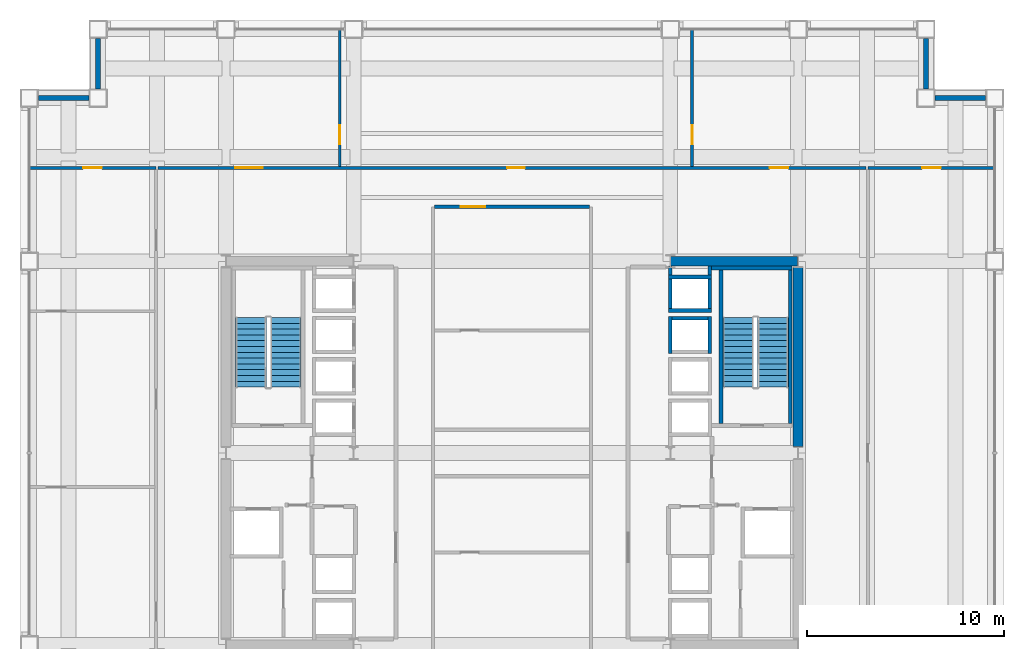
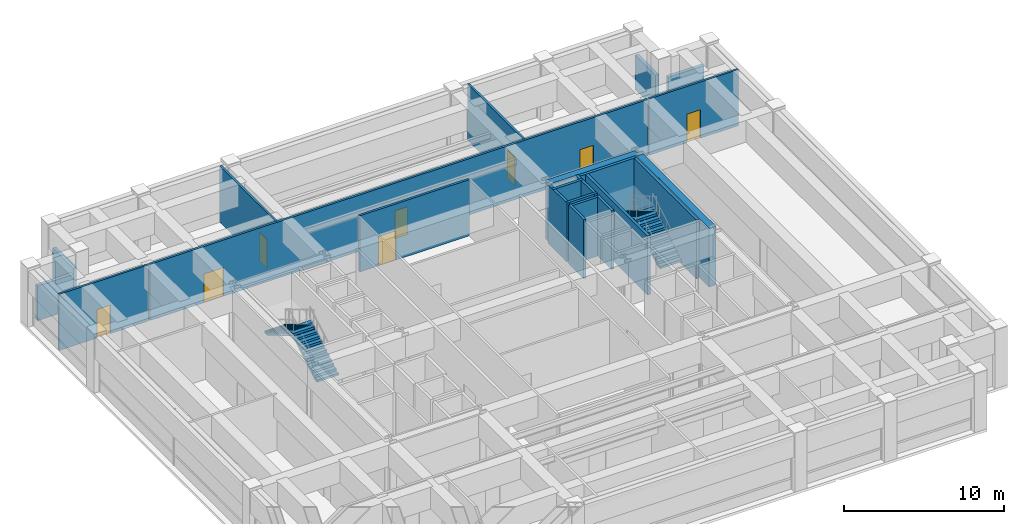
# One storey, part 28 of 29: 22 walls, 8 doors, 4 stair flights, 8 openings, 2 elements without a shape of their own.
"""IFC4 building model written with IfcOpenShell, lengths in metres."""

import ifcopenshell
import ifcopenshell.guid

model = None  # the IFC model being written
_history = None  # IfcOwnerHistory: only IFC2X3 demands one
_inside = {}  # id of a spatial element -> (the spatial element, [elements in it])
_under = {}  # id of a project, library or spatial element -> (it, [spatial elements below it])
_declared = {}  # id of a project -> (the project, [libraries it declares])
_typed = {}  # id of a type object -> (the type object, [elements of that type])
_made_of = {}  # id of a material, layer set ... -> (it, [elements and type objects made of it])


def new_model(schema):
    """Start an empty IFC model of exactly this schema.

    Asked for "IFC4X3", IfcOpenShell would pick the latest addendum, in which some entities
    have other attributes; the version numbers below select the first issue.
    IFC2X3 requires an IfcOwnerHistory on every rooted entity: one is made here for all.
    """
    global model, _history
    if schema == "IFC4X3":
        model = ifcopenshell.file(schema_version=(4, 3, 0, 0))
    else:
        model = ifcopenshell.file(schema=schema)
    _inside.clear()
    _under.clear()
    _declared.clear()
    _typed.clear()
    _made_of.clear()
    _history = None
    if model.schema == "IFC2X3":
        org = make("IfcOrganization", Name="unknown")
        user = make(
            "IfcPersonAndOrganization",
            ThePerson=make("IfcPerson", FamilyName="unknown"),
            TheOrganization=org,
        )
        app = make(
            "IfcApplication",
            ApplicationDeveloper=org,
            Version="unknown",
            ApplicationFullName="unknown",
            ApplicationIdentifier="unknown",
        )
        _history = make(
            "IfcOwnerHistory",
            OwningUser=user,
            OwningApplication=app,
            ChangeAction="ADDED",
            CreationDate=0,
        )
    return model


def make(cls, **values):
    """One entity of the class cls with the attributes given. An attribute that is None is left unset."""
    return model.create_entity(
        cls, **{name: value for name, value in values.items() if value is not None}
    )


def rooted(cls, **values):
    """An entity with a GlobalId (a new one), such as an element, a storey or a relation."""
    return make(cls, GlobalId=ifcopenshell.guid.new(), OwnerHistory=_history, **values)


def si_unit(unit_type, name, prefix=None):
    """IfcSIUnit, for example si_unit("LENGTHUNIT", "METRE", prefix="MILLI")."""
    return make("IfcSIUnit", UnitType=unit_type, Prefix=prefix, Name=name)


def assignment(units):
    """IfcUnitAssignment: the units of a project."""
    return None if units is None else make("IfcUnitAssignment", Units=units)


def point(xyz):
    """IfcCartesianPoint."""
    return None if xyz is None else make("IfcCartesianPoint", Coordinates=xyz)


def direction(xyz):
    """IfcDirection."""
    return None if xyz is None else make("IfcDirection", DirectionRatios=xyz)


def frame(location, z_axis=None, x_axis=None):
    """IfcAxis2Placement3D, a coordinate frame: its origin and axes. An axis left out is left unset."""
    return make(
        "IfcAxis2Placement3D",
        Location=point(location),
        Axis=direction(z_axis),
        RefDirection=direction(x_axis),
    )


def frame_2d(location, x_axis=None):
    """IfcAxis2Placement2D, a coordinate frame in the plane: its origin and x axis."""
    return make(
        "IfcAxis2Placement2D", Location=point(location), RefDirection=direction(x_axis)
    )


def origin():
    """The frame at (0, 0, 0) with its axes left unset."""
    return frame((0.0, 0.0, 0.0))


def place(relative_to, where):
    """IfcLocalPlacement: puts the frame where relative to a parent placement (None: the world)."""
    return make(
        "IfcLocalPlacement", PlacementRelTo=relative_to, RelativePlacement=where
    )


def context(
    kind, dimensions, precision=None, world=None, true_north=None, identifier=None
):
    """IfcGeometricRepresentationContext, for example the 3D "Model" context."""
    return make(
        "IfcGeometricRepresentationContext",
        ContextIdentifier=identifier,
        ContextType=kind,
        CoordinateSpaceDimension=dimensions,
        Precision=precision,
        WorldCoordinateSystem=world,
        TrueNorth=true_north,
    )


def subcontext(parent, identifier, kind, view, scale=None):
    """IfcGeometricRepresentationSubContext, for example "Body" below "Model"."""
    return make(
        "IfcGeometricRepresentationSubContext",
        ContextIdentifier=identifier,
        ContextType=kind,
        ParentContext=parent,
        TargetScale=scale,
        TargetView=view,
    )


def project(units=None, contexts=None):
    """IfcProject with its units and contexts."""
    return rooted(
        "IfcProject",
        Name="project",
        RepresentationContexts=contexts,
        UnitsInContext=assignment(units),
    )


def spatial(cls, under=None, at=None, **own):
    """A site, building, storey or space (cls), placed at a placement, below another one or the project."""
    s = rooted(cls, ObjectPlacement=at, **own)
    if under is not None:
        _under.setdefault(under.id(), (under, []))[1].append(s)
    return s


def polyline(points):
    """IfcPolyline through the points."""
    return make("IfcPolyline", Points=[point(p) for p in points])


def profile(cls, at=None, kind="AREA", **sizes):
    """A parametric profile (cls). Its sizes go by their IFC names, for example OverallWidth=200.0."""
    return make(cls, ProfileType=kind, Position=at, **sizes)


def rectangle(**sizes):
    """IfcRectangleProfileDef."""
    return profile("IfcRectangleProfileDef", **sizes)


def outline(outer, holes=None, kind="AREA"):
    """IfcArbitraryClosedProfileDef: a profile drawn as a closed curve; with holes, ...WithVoids."""
    if holes is None:
        return make("IfcArbitraryClosedProfileDef", ProfileType=kind, OuterCurve=outer)
    return make(
        "IfcArbitraryProfileDefWithVoids",
        ProfileType=kind,
        OuterCurve=outer,
        InnerCurves=holes,
    )


def extrude(swept, where, along, depth):
    """IfcExtrudedAreaSolid: the profile swept, set in the frame where, extruded along a direction by depth."""
    return make(
        "IfcExtrudedAreaSolid",
        SweptArea=swept,
        Position=where,
        ExtrudedDirection=direction(along),
        Depth=depth,
    )


def shape(context_of_items, identifier, shape_type, items):
    """IfcShapeRepresentation: the items that make up one representation, for example the "Body"."""
    return make(
        "IfcShapeRepresentation",
        ContextOfItems=context_of_items,
        RepresentationIdentifier=identifier,
        RepresentationType=shape_type,
        Items=items,
    )


def material(Name=None, Category=None):
    """IfcMaterial."""
    return make("IfcMaterial", Name=Name, Category=Category)


def layer(
    of_material, thickness, ventilated=None, Name=None, Category=None, Priority=None
):
    """IfcMaterialLayer: one layer of a wall or slab, of a material (None: an air gap)."""
    return make(
        "IfcMaterialLayer",
        Material=of_material,
        LayerThickness=thickness,
        IsVentilated=ventilated,
        Name=Name,
        Category=Category,
        Priority=Priority,
    )


def layer_set(layers, Name=None):
    """IfcMaterialLayerSet."""
    return make("IfcMaterialLayerSet", MaterialLayers=layers, LayerSetName=Name)


def made_of(thing, what):
    """Note that an element or type object is made of a material, layer set ...; save() writes the relation."""
    if what is not None:
        _made_of.setdefault(what.id(), (what, []))[1].append(thing)
    return thing


def type_object(cls, material=None, **own):
    """A type object (cls), such as IfcWallType, which elements share."""
    return made_of(rooted(cls, **own), material)


def element(
    cls,
    number,
    at=None,
    inside=None,
    cuts=None,
    type_object=None,
    material=None,
    context=None,
    identifier="Body",
    shape_type=None,
    held_by="IfcProductDefinitionShape",
    body=None,
    shapes=None,
    **own,
):
    """One element of the class cls, such as IfcWall. Its Tag is "e" and its number.

    at: its placement. inside: the storey or other place that contains it. cuts: it is an
    opening in that element (IfcRelVoidsElement). A single representation is given by context,
    identifier, shape_type and body (its items); several are given by shapes. held_by: the class
    of the entity that holds the representations. save() writes the other relations.
    """
    e = rooted(cls, Tag="e%d" % number, ObjectPlacement=at, **own)
    if body is not None:
        shapes = [shape(context, identifier, shape_type, body)]
    if shapes is not None:
        e.Representation = make(held_by, Representations=shapes)
    if inside is not None:
        _inside.setdefault(inside.id(), (inside, []))[1].append(e)
    if cuts is not None:
        rooted(
            "IfcRelVoidsElement", RelatingBuildingElement=cuts, RelatedOpeningElement=e
        )
    if type_object is not None:
        _typed.setdefault(type_object.id(), (type_object, []))[1].append(e)
    return made_of(e, material)


def fill(opening, filler):
    """IfcRelFillsElement: the door or window that sits in an opening."""
    return rooted(
        "IfcRelFillsElement",
        RelatingOpeningElement=opening,
        RelatedBuildingElement=filler,
    )


def aggregate(whole, parts):
    """IfcRelAggregates: a whole, such as a stair, and the parts it consists of."""
    return rooted("IfcRelAggregates", RelatingObject=whole, RelatedObjects=parts)


def save(model, path):
    """Write the relations noted so far, then the file.

    IfcRelAggregates (storeys below a building ...), IfcRelContainedInSpatialStructure (elements
    in a storey), IfcRelDefinesByType, IfcRelAssociatesMaterial and IfcRelDeclares: one each for
    every whole, place, type object, material and project.
    """
    for whole, parts in _under.values():
        aggregate(whole, parts)
    for where, things in _inside.values():
        rooted(
            "IfcRelContainedInSpatialStructure",
            RelatedElements=things,
            RelatingStructure=where,
        )
    for kind, things in _typed.values():
        rooted("IfcRelDefinesByType", RelatedObjects=things, RelatingType=kind)
    for what, things in _made_of.values():
        rooted("IfcRelAssociatesMaterial", RelatedObjects=things, RelatingMaterial=what)
    for by, libraries in _declared.values():
        rooted("IfcRelDeclares", RelatingContext=by, RelatedDefinitions=libraries)
    model.write(path)


model = new_model("IFC4")

# Units and contexts
model_context = context("Model", 3, precision=1e-05, world=origin(), true_north=direction((0.0, 1.0)))
body_context = subcontext(model_context, "Body", "Model", "MODEL_VIEW")
ifc_project = project(units=[si_unit("LENGTHUNIT", "METRE"), si_unit("AREAUNIT", "SQUARE_METRE"), si_unit("VOLUMEUNIT", "CUBIC_METRE"), si_unit("PLANEANGLEUNIT", "RADIAN"), si_unit("MASSUNIT", "GRAM", prefix="KILO")], contexts=[model_context])

# Site, building, storey
site_placement = place(None, origin())
site = spatial("IfcSite", under=ifc_project, at=site_placement, CompositionType="ELEMENT")
building_placement = place(site_placement, origin())
building = spatial("IfcBuilding", under=site, at=building_placement, Name="Brelmoor Portico Tower", CompositionType="ELEMENT")
storey_placement = place(building_placement, frame((0.0, 0.0, 82.800048828125)))
storey = spatial("IfcBuildingStorey", under=building, at=storey_placement, Name="L21", CompositionType="ELEMENT", Elevation=82.800048828125)

# Walls
ifc_material_1 = material(Name="Concrete C60", Category="concrete")
ifc_layer_1 = layer(ifc_material_1, 0.5)
ifc_layer_set_1 = layer_set([ifc_layer_1], Name="Concrete C60")
wall_type_1 = type_object("IfcWallType", Name="WL-CORE-500", PredefinedType="SHEAR", material=ifc_layer_set_1)
wall_1_placement = place(storey_placement, frame((8.070068359375, 9.75, -0.199951171875), z_axis=(0.0, 0.0, 1.0), x_axis=(1.0, 0.0, 0.0)))
element("IfcWall", 1, at=wall_1_placement, inside=storey, type_object=wall_type_1, Name="L21 EC North Shear Wall", PredefinedType="SHEAR", context=body_context, shape_type="SweptSolid", body=[
    extrude(rectangle(XDim=6.4599609375, YDim=0.5, at=frame_2d((3.22998046875, 0.0))), origin(), (0.0, 0.0, 1.0), 4.5),
])
wall_2_placement = place(storey_placement, frame((14.550048828125, 0.324951171875, -0.199951171875), z_axis=(0.0, 0.0, 1.0), x_axis=(0.0, 1.0, 0.0)))
element("IfcWall", 2, at=wall_2_placement, inside=storey, type_object=wall_type_1, Name="L21 EC Outer North Shear Wall", PredefinedType="SHEAR", context=body_context, shape_type="SweptSolid", body=[
    extrude(rectangle(XDim=9.10009765625, YDim=0.5, at=frame_2d((4.550048828125, 0.0))), origin(), (0.0, 0.0, 1.0), 4.5),
])
ifc_material_2 = material(Name="Precast Concrete C40 Insulated Facade Wall", Category="concrete")
ifc_layer_2 = layer(ifc_material_2, 0.25)
ifc_layer_set_2 = layer_set([ifc_layer_2], Name="Precast Concrete C40 Insulated Facade Wall")
wall_type_2 = type_object("IfcWallType", Name="WL-EXT-250", PredefinedType="STANDARD", material=ifc_layer_set_2)
for number, where, z_axis, x_axis, name in (
    (3, (-24.090087890625, 18.050048828125, 0.0), (0.0, 0.0, 1.0), (1.0, 0.0, 0.0), "L21 Corner Notch Facade Wall NNWH1"),
    (4, (-21.050048828125, 18.510009765625, 0.0), (0.0, 0.0, 1.0), (0.0, 1.0, 0.0), "L21 Corner Notch Facade Wall NNWV1"),
    (5, (21.510009765625, 18.050048828125, 0.0), (0.0, 0.0, 1.0), (1.0, 0.0, 0.0), "L21 Corner Notch Facade Wall NNEH1"),
    (6, (21.050048828125, 18.510009765625, 0.0), (0.0, 0.0, 1.0), (0.0, 1.0, 0.0), "L21 Corner Notch Facade Wall NNEV1"),
):
    element("IfcWall", number, at=place(storey_placement, frame(where, z_axis=z_axis, x_axis=x_axis)), inside=storey, type_object=wall_type_2, Name=name, PredefinedType="STANDARD", context=body_context, shape_type="SweptSolid", body=[
        extrude(rectangle(XDim=2.580078125, YDim=0.25, at=frame_2d((1.2900390625, 0.0))), origin(), (0.0, 0.0, 1.0), 2.639892578125),
    ])

# Wall, opening, door
ifc_material_3 = material(Name="Wet-Area Moisture-Resistant Partition", Category="gypsum")
ifc_layer_3 = layer(ifc_material_3, 0.14990234375)
ifc_layer_set_3 = layer_set([ifc_layer_3], Name="Wet-Area Moisture-Resistant Partition")
wall_type_3 = type_object("IfcWallType", Name="WL-PART-150", PredefinedType="PARTITIONING", material=ifc_layer_set_3)
wall_3_placement = place(storey_placement, frame((-8.760498046875, 14.56005859375, 0.0), z_axis=(0.0, 0.0, 1.0), x_axis=(0.0, 1.0, 0.0)))
wall_3 = element("IfcWall", 7, at=wall_3_placement, inside=storey, type_object=wall_type_3, Name="L21 North Suite Partition 1", PredefinedType="PARTITIONING", context=body_context, shape_type="SweptSolid", body=[
    extrude(rectangle(XDim=7.0, YDim=0.14990234375, at=frame_2d((3.5, 0.0))), origin(), (0.0, 0.0, 1.0), 4.300048828125),
])
opening_1_placement = place(wall_3_placement, frame((1.14990234375, 0.0, 0.0)))
opening_1 = element("IfcOpeningElement", 8, at=opening_1_placement, cuts=wall_3, Name="Opening D-IN2", PredefinedType="OPENING", context=body_context, shape_type="SweptSolid", body=[
    extrude(rectangle(XDim=0.9599609375, YDim=2.179931640625, at=frame_2d((0.47998046875, 1.08984375))), frame((0.0, 0.0849609375, 0.0), z_axis=(0.0, -1.0, 0.0), x_axis=(1.0, 0.0, 0.0)), (0.0, 0.0, 1.0), 0.169921875),
])
ifc_material_4 = material(Name="Lacquered Timber Suite Door", Category="wood")
door_type_1 = type_object("IfcDoorType", Name="DR-INT-950", OperationType="NOTDEFINED", PredefinedType="DOOR", material=ifc_material_4)
door_1_placement = place(opening_1_placement, origin())
door_1 = element("IfcDoor", 9, at=door_1_placement, inside=storey, type_object=door_type_1, Name="D-0944 L21 North Suite Connecting Door 1", OperationType="SINGLE_SWING_LEFT", OverallHeight=2.179931640625, OverallWidth=0.9599609375, PredefinedType="DOOR", context=body_context, shape_type="SweptSolid", body=[
    extrude(rectangle(XDim=0.9599609375, YDim=2.179931640625, at=frame_2d((0.47998046875, 1.08984375))), frame((0.0, 0.02490234375, 0.0), z_axis=(0.0, -1.0, 0.0), x_axis=(1.0, 0.0, 0.0)), (0.0, 0.0, 1.0), 0.050048828125),
])
fill(opening_1, door_1)

wall_4_placement = place(storey_placement, frame((9.15869140625, 14.56005859375, 0.0), z_axis=(0.0, 0.0, 1.0), x_axis=(0.0, 1.0, 0.0)))
wall_4 = element("IfcWall", 10, at=wall_4_placement, inside=storey, type_object=wall_type_3, Name="L21 North Suite Partition 2", PredefinedType="PARTITIONING", context=body_context, shape_type="SweptSolid", body=[
    extrude(rectangle(XDim=7.0, YDim=0.14990234375, at=frame_2d((3.5, 0.0))), origin(), (0.0, 0.0, 1.0), 4.300048828125),
])
opening_2_placement = place(wall_4_placement, frame((1.14990234375, 0.0, 0.0)))
opening_2 = element("IfcOpeningElement", 11, at=opening_2_placement, cuts=wall_4, Name="Opening D-IN2", PredefinedType="OPENING", context=body_context, shape_type="SweptSolid", body=[
    extrude(rectangle(XDim=0.9599609375, YDim=2.179931640625, at=frame_2d((0.47998046875, 1.08984375))), frame((0.0, 0.0849609375, 0.0), z_axis=(0.0, -1.0, 0.0), x_axis=(1.0, 0.0, 0.0)), (0.0, 0.0, 1.0), 0.169921875),
])
door_2_placement = place(opening_2_placement, origin())
door_2 = element("IfcDoor", 12, at=door_2_placement, inside=storey, type_object=door_type_1, Name="D-0945 L21 North Suite Connecting Door 2", OperationType="SINGLE_SWING_RIGHT", OverallHeight=2.179931640625, OverallWidth=0.9599609375, PredefinedType="DOOR", context=body_context, shape_type="SweptSolid", body=[
    extrude(rectangle(XDim=0.9599609375, YDim=2.179931640625, at=frame_2d((0.47998046875, 1.08984375))), frame((0.0, 0.02490234375, 0.0), z_axis=(0.0, -1.0, 0.0), x_axis=(1.0, 0.0, 0.0)), (0.0, 0.0, 1.0), 0.050048828125),
])
fill(opening_2, door_2)

wall_5_placement = place(storey_placement, frame((-24.56005859375, 14.5, 0.0), z_axis=(0.0, 0.0, 1.0), x_axis=(1.0, 0.0, 0.0)))
wall_5 = element("IfcWall", 13, at=wall_5_placement, inside=storey, type_object=wall_type_3, Name="L21 North Outer Closure WL", PredefinedType="PARTITIONING", context=body_context, shape_type="SweptSolid", body=[
    extrude(rectangle(XDim=6.4599609375, YDim=0.14990234375, at=frame_2d((3.22998046875, 0.0))), origin(), (0.0, 0.0, 1.0), 4.300048828125),
])
opening_3_placement = place(wall_5_placement, frame((2.75, 0.0, 0.0)))
opening_3 = element("IfcOpeningElement", 14, at=opening_3_placement, cuts=wall_5, Name="Opening D-IN2", PredefinedType="OPENING", context=body_context, shape_type="SweptSolid", body=[
    extrude(rectangle(XDim=0.9599609375, YDim=2.179931640625, at=frame_2d((0.47998046875, 1.08984375))), frame((0.0, 0.0849609375, 0.0), z_axis=(0.0, -1.0, 0.0), x_axis=(1.0, 0.0, 0.0)), (0.0, 0.0, 1.0), 0.169921875),
])
door_3_placement = place(opening_3_placement, origin())
door_3 = element("IfcDoor", 15, at=door_3_placement, inside=storey, type_object=door_type_1, Name="D-0947 L21 WL North Corner Suite Door", OperationType="SINGLE_SWING_LEFT", OverallHeight=2.179931640625, OverallWidth=0.9599609375, PredefinedType="DOOR", context=body_context, shape_type="SweptSolid", body=[
    extrude(rectangle(XDim=0.9599609375, YDim=2.179931640625, at=frame_2d((0.47998046875, 1.08984375))), frame((0.0, 0.02490234375, 0.0), z_axis=(0.0, -1.0, 0.0), x_axis=(1.0, 0.0, 0.0)), (0.0, 0.0, 1.0), 0.050048828125),
])
fill(opening_3, door_3)

wall_6_placement = place(storey_placement, frame((18.10009765625, 14.5, 0.0), z_axis=(0.0, 0.0, 1.0), x_axis=(1.0, 0.0, 0.0)))
wall_6 = element("IfcWall", 16, at=wall_6_placement, inside=storey, type_object=wall_type_3, Name="L21 North Outer Closure ER", PredefinedType="PARTITIONING", context=body_context, shape_type="SweptSolid", body=[
    extrude(rectangle(XDim=6.4599609375, YDim=0.14990234375, at=frame_2d((3.22998046875, 0.0))), origin(), (0.0, 0.0, 1.0), 4.300048828125),
])
opening_4_placement = place(wall_6_placement, frame((2.75, 0.0, 0.0)))
opening_4 = element("IfcOpeningElement", 17, at=opening_4_placement, cuts=wall_6, Name="Opening D-IN2", PredefinedType="OPENING", context=body_context, shape_type="SweptSolid", body=[
    extrude(rectangle(XDim=0.9599609375, YDim=2.179931640625, at=frame_2d((0.47998046875, 1.08984375))), frame((0.0, 0.0849609375, 0.0), z_axis=(0.0, -1.0, 0.0), x_axis=(1.0, 0.0, 0.0)), (0.0, 0.0, 1.0), 0.169921875),
])
door_4_placement = place(opening_4_placement, origin())
door_4 = element("IfcDoor", 18, at=door_4_placement, inside=storey, type_object=door_type_1, Name="D-0946 L21 ER North Corner Suite Door", OperationType="SINGLE_SWING_RIGHT", OverallHeight=2.179931640625, OverallWidth=0.9599609375, PredefinedType="DOOR", context=body_context, shape_type="SweptSolid", body=[
    extrude(rectangle(XDim=0.9599609375, YDim=2.179931640625, at=frame_2d((0.47998046875, 1.08984375))), frame((0.0, 0.02490234375, 0.0), z_axis=(0.0, -1.0, 0.0), x_axis=(1.0, 0.0, 0.0)), (0.0, 0.0, 1.0), 0.050048828125),
])
fill(opening_4, door_4)

ifc_material_5 = material(Name="Twin-Frame Acoustic Partition", Category="gypsum")
ifc_layer_4 = layer(ifc_material_5, 0.159912109375)
ifc_layer_set_4 = layer_set([ifc_layer_4], Name="Twin-Frame Acoustic Partition")
wall_type_4 = type_object("IfcWallType", Name="WL-PART-160", PredefinedType="PARTITIONING", material=ifc_layer_set_4)
wall_7_placement = place(storey_placement, frame((-3.949951171875, 12.52001953125, 0.0), z_axis=(0.0, 0.0, 1.0), x_axis=(1.0, 0.0, 0.0)))
wall_7 = element("IfcWall", 19, at=wall_7_placement, inside=storey, type_object=wall_type_4, Name="L21 Central Meeting Corridor Wall", PredefinedType="PARTITIONING", context=body_context, shape_type="SweptSolid", body=[
    extrude(rectangle(XDim=7.89990234375, YDim=0.159912109375, at=frame_2d((3.949951171875, 0.0))), origin(), (0.0, 0.0, 1.0), 4.300048828125),
])
opening_5_placement = place(wall_7_placement, frame((1.35009765625, 0.0, 0.0)))
opening_5 = element("IfcOpeningElement", 20, at=opening_5_placement, cuts=wall_7, Name="Opening D-SU1", PredefinedType="OPENING", context=body_context, shape_type="SweptSolid", body=[
    extrude(rectangle(XDim=1.239990234375, YDim=2.239990234375, at=frame_2d((0.6201171875, 1.1201171875))), frame((0.0, 0.08984375, 0.0), z_axis=(0.0, -1.0, 0.0), x_axis=(1.0, 0.0, 0.0)), (0.0, 0.0, 1.0), 0.179931640625),
])
ifc_material_6 = material(Name="Glazed Timber Executive Suite Door", Category="wood")
door_type_2 = type_object("IfcDoorType", Name="DR-SUITE-1200", OperationType="NOTDEFINED", PredefinedType="DOOR", material=ifc_material_6)
door_5_placement = place(opening_5_placement, origin())
door_5 = element("IfcDoor", 21, at=door_5_placement, inside=storey, type_object=door_type_2, Name="D-0927 L21 Client Meeting Room Door", OperationType="SINGLE_SWING_LEFT", OverallHeight=2.239990234375, OverallWidth=1.239990234375, PredefinedType="DOOR", context=body_context, shape_type="SweptSolid", body=[
    extrude(rectangle(XDim=1.239990234375, YDim=2.239990234375, at=frame_2d((0.6201171875, 1.1201171875))), frame((0.0, 0.02490234375, 0.0), z_axis=(0.0, -1.0, 0.0), x_axis=(1.0, 0.0, 0.0)), (0.0, 0.0, 1.0), 0.050048828125),
])
fill(opening_5, door_5)

# Wall, openings, doors
wall_8_placement = place(storey_placement, frame((-18.0, 14.5, 0.0), z_axis=(0.0, 0.0, 1.0), x_axis=(1.0, 0.0, 0.0)))
wall_8 = element("IfcWall", 22, at=wall_8_placement, inside=storey, type_object=wall_type_4, Name="L21 North Corridor Partition", PredefinedType="PARTITIONING", context=body_context, shape_type="SweptSolid", body=[
    extrude(rectangle(XDim=36.0, YDim=0.159912109375, at=frame_2d((18.0, 0.0))), origin(), (0.0, 0.0, 1.0), 4.300048828125),
])
opening_6_placement = place(wall_8_placement, frame((3.919921875, 0.0, 0.0)))
opening_6 = element("IfcOpeningElement", 23, at=opening_6_placement, cuts=wall_8, Name="Opening D-SU2", PredefinedType="OPENING", context=body_context, shape_type="SweptSolid", body=[
    extrude(rectangle(XDim=1.39990234375, YDim=2.199951171875, at=frame_2d((0.699951171875, 1.10009765625))), frame((0.0, 0.08984375, 0.0), z_axis=(0.0, -1.0, 0.0), x_axis=(1.0, 0.0, 0.0)), (0.0, 0.0, 1.0), 0.179931640625),
])
opening_7_placement = place(wall_8_placement, frame((17.7490234375, 0.0, 0.0)))
opening_7 = element("IfcOpeningElement", 24, at=opening_7_placement, cuts=wall_8, Name="Opening D-IN1", PredefinedType="OPENING", context=body_context, shape_type="SweptSolid", body=[
    extrude(rectangle(XDim=0.89990234375, YDim=2.14990234375, at=frame_2d((0.449951171875, 1.074951171875))), frame((0.0, 0.08984375, 0.0), z_axis=(0.0, -1.0, 0.0), x_axis=(1.0, 0.0, 0.0)), (0.0, 0.0, 1.0), 0.179931640625),
])
opening_8_placement = place(wall_8_placement, frame((31.099365234375, 0.0, 0.0)))
opening_8 = element("IfcOpeningElement", 25, at=opening_8_placement, cuts=wall_8, Name="Opening D-IN2", PredefinedType="OPENING", context=body_context, shape_type="SweptSolid", body=[
    extrude(rectangle(XDim=0.9599609375, YDim=2.179931640625, at=frame_2d((0.47998046875, 1.08984375))), frame((0.0, 0.08984375, 0.0), z_axis=(0.0, -1.0, 0.0), x_axis=(1.0, 0.0, 0.0)), (0.0, 0.0, 1.0), 0.179931640625),
])
door_type_3 = type_object("IfcDoorType", Name="DR-INT-900", OperationType="NOTDEFINED", PredefinedType="DOOR", material=ifc_material_4)
door_6_placement = place(opening_7_placement, origin())
door_6 = element("IfcDoor", 26, at=door_6_placement, inside=storey, type_object=door_type_3, Name="D-0942 L21 North Reading Library 2 Door", OperationType="SINGLE_SWING_LEFT", OverallHeight=2.14990234375, OverallWidth=0.89990234375, PredefinedType="DOOR", context=body_context, shape_type="SweptSolid", body=[
    extrude(rectangle(XDim=0.89990234375, YDim=2.14990234375, at=frame_2d((0.449951171875, 1.074951171875))), frame((0.0, 0.02490234375, 0.0), z_axis=(0.0, -1.0, 0.0), x_axis=(1.0, 0.0, 0.0)), (0.0, 0.0, 1.0), 0.050048828125),
])
fill(opening_7, door_6)
door_7_placement = place(opening_8_placement, origin())
door_7 = element("IfcDoor", 27, at=door_7_placement, inside=storey, type_object=door_type_1, Name="D-0943 L21 North Staff Wellness Studio 3 Door", OperationType="SINGLE_SWING_RIGHT", OverallHeight=2.179931640625, OverallWidth=0.9599609375, PredefinedType="DOOR", context=body_context, shape_type="SweptSolid", body=[
    extrude(rectangle(XDim=0.9599609375, YDim=2.179931640625, at=frame_2d((0.47998046875, 1.08984375))), frame((0.0, 0.02490234375, 0.0), z_axis=(0.0, -1.0, 0.0), x_axis=(1.0, 0.0, 0.0)), (0.0, 0.0, 1.0), 0.050048828125),
])
fill(opening_8, door_7)
ifc_material_7 = material(Name="Double-Leaf Acoustic Suite Door", Category="timber")
door_type_4 = type_object("IfcDoorType", Name="DR-SUITE-1400", OperationType="NOTDEFINED", PredefinedType="DOOR", material=ifc_material_7)
door_8_placement = place(opening_6_placement, origin())
door_8 = element("IfcDoor", 28, at=door_8_placement, inside=storey, type_object=door_type_4, Name="D-0941 L21 North Open-Plan Office 1 Door", OperationType="DOUBLE_DOOR_SINGLE_SWING", OverallHeight=2.199951171875, OverallWidth=1.39990234375, PredefinedType="DOOR", context=body_context, shape_type="SweptSolid", body=[
    extrude(rectangle(XDim=1.39990234375, YDim=2.199951171875, at=frame_2d((0.699951171875, 1.10009765625))), frame((0.0, 0.02490234375, 0.0), z_axis=(0.0, -1.0, 0.0), x_axis=(1.0, 0.0, 0.0)), (0.0, 0.0, 1.0), 0.050048828125),
])
fill(opening_6, door_8)

# Walls
ifc_material_8 = material(Name="Precast Concrete C40", Category="concrete")
ifc_layer_5 = layer(ifc_material_8, 0.18994140625)
ifc_layer_set_5 = layer_set([ifc_layer_5], Name="Precast Concrete C40")
wall_type_5 = type_object("IfcWallType", Name="WL-SHAFT-180", PredefinedType="SOLIDWALL", material=ifc_layer_set_5)
for number, where, z_axis, x_axis, name in (
    (29, (8.044921875, 5.050048828125, -0.199951171875), (0.0, 0.0, 1.0), (0.0, 1.0, 0.0), "L21 Lift PM3 Hoistway Front Wall"),
    (30, (10.054931640625, 5.050048828125, -0.199951171875), (0.0, 0.0, 1.0), (0.0, 1.0, 0.0), "L21 Lift PM3 Hoistway Back Wall"),
):
    element("IfcWall", number, at=place(storey_placement, frame(where, z_axis=z_axis, x_axis=x_axis)), inside=storey, type_object=wall_type_5, Name=name, PredefinedType="SOLIDWALL", context=body_context, shape_type="SweptSolid", body=[
        extrude(rectangle(XDim=1.89990234375, YDim=0.18994140625, at=frame_2d((0.949951171875, 0.0))), origin(), (0.0, 0.0, 1.0), 4.5),
    ])
wall_9_placement = place(storey_placement, frame((7.949951171875, 6.85498046875, -0.199951171875), z_axis=(0.0, 0.0, 1.0), x_axis=(1.0, 0.0, 0.0)))
element("IfcWall", 31, at=wall_9_placement, inside=storey, type_object=wall_type_5, Name="L21 Lift PM3 Hoistway North Wall", PredefinedType="SOLIDWALL", context=body_context, shape_type="SweptSolid", body=[
    extrude(rectangle(XDim=2.199951171875, YDim=0.18994140625, at=frame_2d((1.10009765625, 0.0))), origin(), (0.0, 0.0, 1.0), 4.5),
])
for number, where, z_axis, x_axis, name in (
    (32, (8.044921875, 7.14990234375, -0.199951171875), (0.0, 0.0, 1.0), (0.0, 1.0, 0.0), "L21 Lift PM4 Hoistway Front Wall"),
    (33, (10.054931640625, 7.14990234375, -0.199951171875), (0.0, 0.0, 1.0), (0.0, 1.0, 0.0), "L21 Lift PM4 Hoistway Back Wall"),
):
    element("IfcWall", number, at=place(storey_placement, frame(where, z_axis=z_axis, x_axis=x_axis)), inside=storey, type_object=wall_type_5, Name=name, PredefinedType="SOLIDWALL", context=body_context, shape_type="SweptSolid", body=[
        extrude(rectangle(XDim=2.3701171875, YDim=0.18994140625, at=frame_2d((1.18505859375, 0.0))), origin(), (0.0, 0.0, 1.0), 4.5),
    ])
for number, where, z_axis, x_axis, name in (
    (34, (7.949951171875, 8.955078125, -0.199951171875), (0.0, 0.0, 1.0), (1.0, 0.0, 0.0), "L21 Lift PM4 Hoistway North Wall"),
    (35, (7.949951171875, 7.2451171875, -0.199951171875), (0.0, 0.0, 1.0), (1.0, 0.0, 0.0), "L21 Lift PM4 Hoistway South Wall"),
):
    element("IfcWall", number, at=place(storey_placement, frame(where, z_axis=z_axis, x_axis=x_axis)), inside=storey, type_object=wall_type_5, Name=name, PredefinedType="SOLIDWALL", context=body_context, shape_type="SweptSolid", body=[
        extrude(rectangle(XDim=2.199951171875, YDim=0.18994140625, at=frame_2d((1.10009765625, 0.0))), origin(), (0.0, 0.0, 1.0), 4.5),
    ])
ifc_material_9 = material(Name="Concrete C40", Category="concrete")
ifc_layer_6 = layer(ifc_material_9, 0.199951171875)
ifc_layer_set_6 = layer_set([ifc_layer_6], Name="Concrete C40")
wall_type_6 = type_object("IfcWallType", Name="WL-SHAFT-RC200", PredefinedType="SOLIDWALL", material=ifc_layer_set_6)
wall_10_placement = place(storey_placement, frame((14.14990234375, 1.5, -0.199951171875), z_axis=(0.0, 0.0, 1.0), x_axis=(0.0, 1.0, 0.0)))
element("IfcWall", 36, at=wall_10_placement, inside=storey, type_object=wall_type_6, Name="L21 ST-E Structural Stair Wall Outer", PredefinedType="SOLIDWALL", context=body_context, shape_type="SweptSolid", body=[
    extrude(rectangle(XDim=7.800048828125, YDim=0.199951171875, at=frame_2d((3.89990234375, 0.0))), origin(), (0.0, 0.0, 1.0), 4.5),
])
wall_11_placement = place(storey_placement, frame((10.14990234375, 9.39990234375, -0.199951171875), z_axis=(0.0, 0.0, 1.0), x_axis=(1.0, 0.0, 0.0)))
element("IfcWall", 37, at=wall_11_placement, inside=storey, type_object=wall_type_6, Name="L21 ST-E Structural Stair Wall N", PredefinedType="SOLIDWALL", context=body_context, shape_type="SweptSolid", body=[
    extrude(rectangle(XDim=4.10009765625, YDim=0.199951171875, at=frame_2d((2.050048828125, 0.0))), origin(), (0.0, 0.0, 1.0), 4.5),
])
wall_12_placement = place(storey_placement, frame((10.6298828125, 1.5, -0.199951171875), z_axis=(0.0, 0.0, 1.0), x_axis=(0.0, 1.0, 0.0)))
element("IfcWall", 38, at=wall_12_placement, inside=storey, type_object=wall_type_6, Name="L21 ST-E Structural Stair Wall Inner", PredefinedType="SOLIDWALL", context=body_context, shape_type="SweptSolid", body=[
    extrude(rectangle(XDim=7.800048828125, YDim=0.199951171875, at=frame_2d((3.89990234375, 0.0))), origin(), (0.0, 0.0, 1.0), 4.5),
])

# Stair, stair flights
stair_type_1 = type_object("IfcStairType", Name="ST-CORE-W", PredefinedType="HALF_TURN_STAIR", material=ifc_material_9)
stair_1_placement = place(storey_placement, origin())
stair_1 = element("IfcStair", 39, at=stair_1_placement, inside=storey, type_object=stair_type_1, Name="L21 Protected Core Exit Stair ST-W", PredefinedType="HALF_TURN_STAIR")
stair_flight_type = type_object("IfcStairFlightType", Name="SF-CORE-1850", PredefinedType="STRAIGHT", material=ifc_material_9)
stair_flight_1_placement = place(storey_placement, frame((-11.510009765625, 3.35009765625, 0.0), z_axis=(0.0, 0.0, 1.0), x_axis=(0.0, 1.0, 0.0)))
stair_flight_1 = element("IfcStairFlight", 40, at=stair_flight_1_placement, type_object=stair_flight_type, Name="ST-W flight 1", NumberOfRisers=13, NumberOfTreads=12, PredefinedType="STRAIGHT", RiserHeight=0.173076923, TreadLength=0.295, context=body_context, shape_type="SweptSolid", body=[
    extrude(outline(polyline([(0.0, 0.0), (0.0, 0.173095703125), (0.294921875, 0.173095703125), (0.294921875, 0.34619140625), (0.590087890625, 0.34619140625), (0.590087890625, 0.519287109375), (0.885009765625, 0.519287109375), (0.885009765625, 0.6923828125), (1.179931640625, 0.6923828125), (1.179931640625, 0.865478515625), (1.47509765625, 0.865478515625), (1.47509765625, 1.03857421875), (1.77001953125, 1.03857421875), (1.77001953125, 1.21142578125), (2.06494140625, 1.21142578125), (2.06494140625, 1.384521484375), (2.360107421875, 1.384521484375), (2.360107421875, 1.5576171875), (2.655029296875, 1.5576171875), (2.655029296875, 1.730712890625), (2.949951171875, 1.730712890625), (2.949951171875, 1.90380859375), (3.2451171875, 1.90380859375), (3.2451171875, 2.076904296875), (3.5400390625, 2.076904296875), (3.5400390625, 2.25), (3.5400390625, 1.903076171875), (0.296142578125, 0.0), (0.0, 0.0)])), frame((0.0, 0.780029296875, 0.0), z_axis=(0.0, -1.0, 0.0), x_axis=(1.0, 0.0, 0.0)), (0.0, 0.0, 1.0), 1.56005859375),
])
stair_flight_2_placement = place(storey_placement, frame((-13.27001953125, 6.889892578125, 2.25), z_axis=(0.0, 0.0, 1.0), x_axis=(0.0, -1.0, 0.0)))
stair_flight_2 = element("IfcStairFlight", 41, at=stair_flight_2_placement, type_object=stair_flight_type, Name="ST-W flight 2", NumberOfRisers=13, NumberOfTreads=12, PredefinedType="STRAIGHT", RiserHeight=0.173076923, TreadLength=0.295, context=body_context, shape_type="SweptSolid", body=[
    extrude(outline(polyline([(0.0, 0.0), (0.0, 0.173095703125), (0.294921875, 0.173095703125), (0.294921875, 0.34619140625), (0.590087890625, 0.34619140625), (0.590087890625, 0.519287109375), (0.885009765625, 0.519287109375), (0.885009765625, 0.6923828125), (1.179931640625, 0.6923828125), (1.179931640625, 0.865478515625), (1.47509765625, 0.865478515625), (1.47509765625, 1.03857421875), (1.77001953125, 1.03857421875), (1.77001953125, 1.21142578125), (2.06494140625, 1.21142578125), (2.06494140625, 1.384521484375), (2.360107421875, 1.384521484375), (2.360107421875, 1.5576171875), (2.655029296875, 1.5576171875), (2.655029296875, 1.730712890625), (2.949951171875, 1.730712890625), (2.949951171875, 1.90380859375), (3.2451171875, 1.90380859375), (3.2451171875, 2.076904296875), (3.5400390625, 2.076904296875), (3.5400390625, 2.25), (3.5400390625, 1.903076171875), (0.296142578125, 0.0), (0.0, 0.0)])), frame((0.0, 0.780029296875, 0.0), z_axis=(0.0, -1.0, 0.0), x_axis=(1.0, 0.0, 0.0)), (0.0, 0.0, 1.0), 1.56005859375),
])
aggregate(stair_1, [stair_flight_1, stair_flight_2])

stair_type_2 = type_object("IfcStairType", Name="ST-CORE-E", PredefinedType="HALF_TURN_STAIR", material=ifc_material_9)
stair_2_placement = place(storey_placement, origin())
stair_2 = element("IfcStair", 42, at=stair_2_placement, inside=storey, type_object=stair_type_2, Name="L21 Protected Core Exit Stair ST-E", PredefinedType="HALF_TURN_STAIR")
stair_flight_3_placement = place(storey_placement, frame((13.27001953125, 3.35009765625, 0.0), z_axis=(0.0, 0.0, 1.0), x_axis=(0.0, 1.0, 0.0)))
stair_flight_3 = element("IfcStairFlight", 43, at=stair_flight_3_placement, type_object=stair_flight_type, Name="ST-E flight 1", NumberOfRisers=13, NumberOfTreads=12, PredefinedType="STRAIGHT", RiserHeight=0.173076923, TreadLength=0.295, context=body_context, shape_type="SweptSolid", body=[
    extrude(outline(polyline([(0.0, 0.0), (0.0, 0.173095703125), (0.294921875, 0.173095703125), (0.294921875, 0.34619140625), (0.590087890625, 0.34619140625), (0.590087890625, 0.519287109375), (0.885009765625, 0.519287109375), (0.885009765625, 0.6923828125), (1.179931640625, 0.6923828125), (1.179931640625, 0.865478515625), (1.47509765625, 0.865478515625), (1.47509765625, 1.03857421875), (1.77001953125, 1.03857421875), (1.77001953125, 1.21142578125), (2.06494140625, 1.21142578125), (2.06494140625, 1.384521484375), (2.360107421875, 1.384521484375), (2.360107421875, 1.5576171875), (2.655029296875, 1.5576171875), (2.655029296875, 1.730712890625), (2.949951171875, 1.730712890625), (2.949951171875, 1.90380859375), (3.2451171875, 1.90380859375), (3.2451171875, 2.076904296875), (3.5400390625, 2.076904296875), (3.5400390625, 2.25), (3.5400390625, 1.903076171875), (0.296142578125, 0.0), (0.0, 0.0)])), frame((0.0, 0.780029296875, 0.0), z_axis=(0.0, -1.0, 0.0), x_axis=(1.0, 0.0, 0.0)), (0.0, 0.0, 1.0), 1.56005859375),
])
stair_flight_4_placement = place(storey_placement, frame((11.510009765625, 6.889892578125, 2.25), z_axis=(0.0, 0.0, 1.0), x_axis=(0.0, -1.0, 0.0)))
stair_flight_4 = element("IfcStairFlight", 44, at=stair_flight_4_placement, type_object=stair_flight_type, Name="ST-E flight 2", NumberOfRisers=13, NumberOfTreads=12, PredefinedType="STRAIGHT", RiserHeight=0.173076923, TreadLength=0.295, context=body_context, shape_type="SweptSolid", body=[
    extrude(outline(polyline([(0.0, 0.0), (0.0, 0.173095703125), (0.294921875, 0.173095703125), (0.294921875, 0.34619140625), (0.590087890625, 0.34619140625), (0.590087890625, 0.519287109375), (0.885009765625, 0.519287109375), (0.885009765625, 0.6923828125), (1.179931640625, 0.6923828125), (1.179931640625, 0.865478515625), (1.47509765625, 0.865478515625), (1.47509765625, 1.03857421875), (1.77001953125, 1.03857421875), (1.77001953125, 1.21142578125), (2.06494140625, 1.21142578125), (2.06494140625, 1.384521484375), (2.360107421875, 1.384521484375), (2.360107421875, 1.5576171875), (2.655029296875, 1.5576171875), (2.655029296875, 1.730712890625), (2.949951171875, 1.730712890625), (2.949951171875, 1.90380859375), (3.2451171875, 1.90380859375), (3.2451171875, 2.076904296875), (3.5400390625, 2.076904296875), (3.5400390625, 2.25), (3.5400390625, 1.903076171875), (0.296142578125, 0.0), (0.0, 0.0)])), frame((0.0, 0.780029296875, 0.0), z_axis=(0.0, -1.0, 0.0), x_axis=(1.0, 0.0, 0.0)), (0.0, 0.0, 1.0), 1.56005859375),
])
aggregate(stair_2, [stair_flight_3, stair_flight_4])

save(model, "model.ifc")
